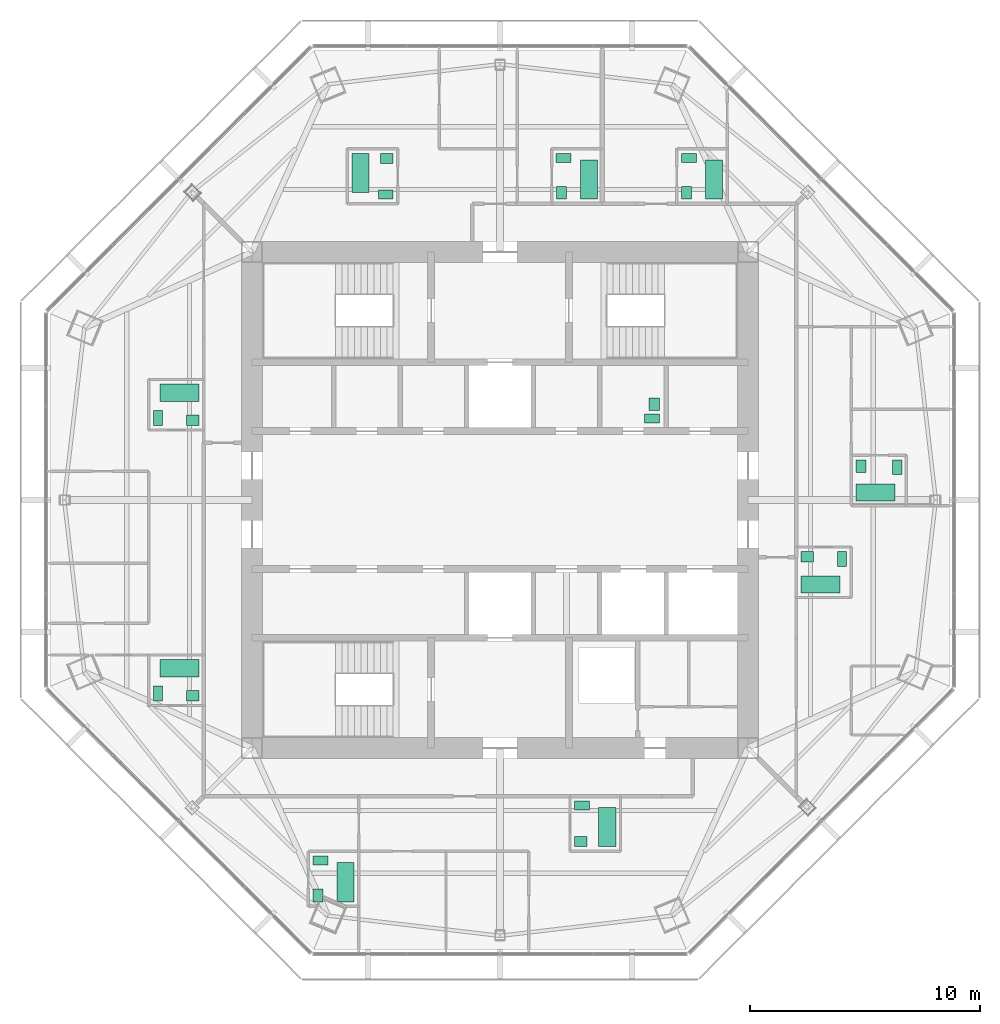
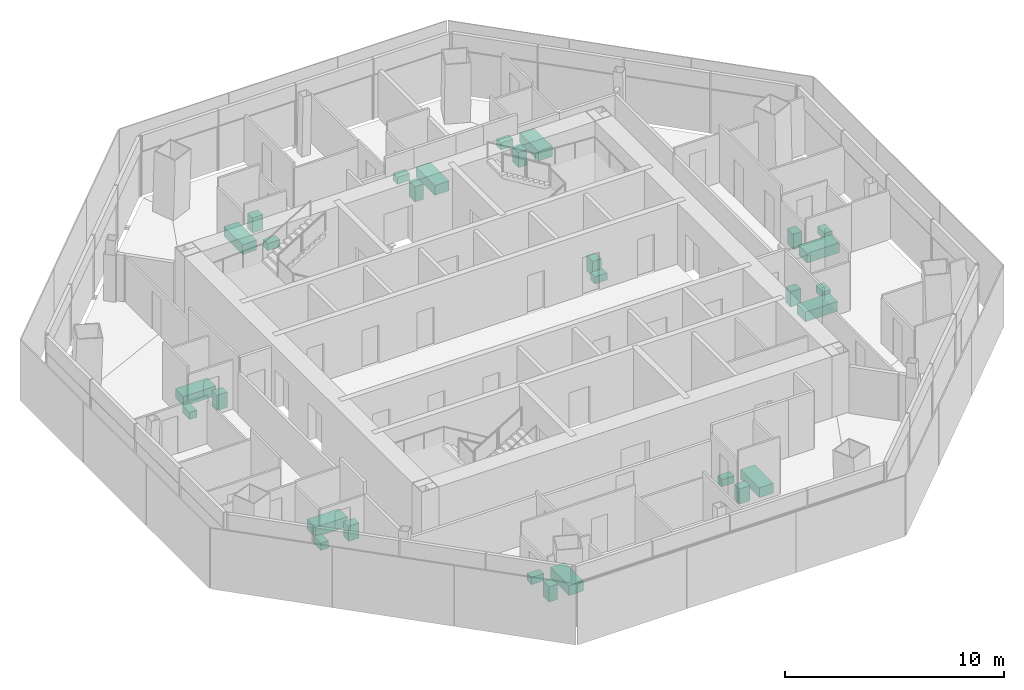
# One storey, part 15 of 15: 29 sanitary terminals.
"""IFC4 building model written with IfcOpenShell, lengths in metres."""

from ifc_helpers import new_model, si_unit, direction, frame, origin, origin_2d, place, context, subcontext, project, spatial, rectangle, extrude, material, type_object, element, save


model = new_model("IFC4")

# Units and contexts
model_context = context("Model", 3, precision=1e-05, world=origin(), true_north=direction((0.0, 1.0)))
body_context = subcontext(model_context, "Body", "Model", "MODEL_VIEW")
ifc_project = project(units=[si_unit("LENGTHUNIT", "METRE"), si_unit("AREAUNIT", "SQUARE_METRE"), si_unit("VOLUMEUNIT", "CUBIC_METRE"), si_unit("PLANEANGLEUNIT", "RADIAN"), si_unit("MASSUNIT", "GRAM", prefix="KILO")], contexts=[model_context])

# Site, building, storey
site_placement = place(None, origin())
site = spatial("IfcSite", under=ifc_project, at=site_placement, CompositionType="ELEMENT")
building_placement = place(site_placement, origin())
building = spatial("IfcBuilding", under=site, at=building_placement, Name="Mashrafa Tower", CompositionType="ELEMENT")
storey_placement = place(building_placement, frame((0.0, 0.0, 291.199951171875)))
storey = spatial("IfcBuildingStorey", under=building, at=storey_placement, Name="L71", CompositionType="ELEMENT", Elevation=291.199951171875)

# Sanitary terminals
ifc_material_1 = material(Name="Enamelled steel", Category="steel")
sanitary_terminal_type_1 = type_object("IfcSanitaryTerminalType", Name="Bath 1700 x 750", PredefinedType="BATH", material=ifc_material_1)
for number, where, z_axis, x_axis, name in (
    (1, (13.949951171875, -3.675048828125, 0.0), (0.0, 0.0, 1.0), (1.0, 0.0, 0.0), "Bath Apartment 7101 Bathroom"),
    (2, (16.35009765625, 0.324951171875, 0.0), (0.0, 0.0, 1.0), (1.0, 0.0, 0.0), "Bath Apartment 7101 En-suite Bathroom"),
    (3, (9.324951171875, 13.949951171875, 0.0), (0.0, 0.0, 1.0), (0.0, 1.0, 0.0), "Bath Apartment 7102 Bathroom"),
    (4, (-6.074951171875, 14.25, 0.0), (0.0, 0.0, 1.0), (0.0, -1.0, 0.0), "Bath Apartment 7103 Bathroom"),
    (5, (3.875, 13.949951171875, 0.0), (0.0, 0.0, 1.0), (0.0, 1.0, 0.0), "Bath Apartment 7103 En-suite Bathroom"),
    (6, (-13.949951171875, 4.675048828125, 0.0), (0.0, 0.0, 1.0), (-1.0, 0.0, 0.0), "Bath Apartment 7104 Bathroom"),
    (7, (-13.949951171875, -7.324951171875, 0.0), (0.0, 0.0, 1.0), (-1.0, 0.0, 0.0), "Bath Apartment 7104 En-suite Bathroom"),
    (8, (4.675048828125, -14.25, 0.0), (0.0, 0.0, 1.0), (0.0, 1.0, 0.0), "Bath Apartment 7105 Bathroom"),
    (9, (-6.72509765625, -16.64990234375, 0.0), (0.0, 0.0, 1.0), (0.0, 1.0, 0.0), "Bath Apartment 7105 En-suite Bathroom"),
):
    element("IfcSanitaryTerminal", number, at=place(storey_placement, frame(where, z_axis=z_axis, x_axis=x_axis)), inside=storey, type_object=sanitary_terminal_type_1, Name=name, PredefinedType="BATH", context=body_context, shape_type="SweptSolid", body=[
        extrude(rectangle(XDim=1.699951171875, YDim=0.75, at=origin_2d()), origin(), (0.0, 0.0, 1.0), 0.550048828125),
    ])
ifc_material_2 = material(Name="Vitreous china")
sanitary_terminal_type_2 = type_object("IfcSanitaryTerminalType", Name="Toilet pan 400 x 650", PredefinedType="TOILETPAN", material=ifc_material_2)
for number, where, z_axis, x_axis, name in (
    (10, (6.625, 3.550048828125, 0.0), (0.0, 0.0, 1.0), (0.0, 1.0, 0.0), "Toilet pan Staff WC L71"),
    (11, (14.89990234375, -2.574951171875, 0.0), (0.0, 0.0, 1.0), (-1.0, 0.0, 0.0), "Toilet pan Apartment 7101 Bathroom"),
    (12, (17.300048828125, 1.425048828125, 0.0), (0.0, 0.0, 1.0), (-1.0, 0.0, 0.0), "Toilet pan Apartment 7101 En-suite Bathroom"),
    (13, (8.22509765625, 14.89990234375, 0.0), (0.0, 0.0, 1.0), (0.0, -1.0, 0.0), "Toilet pan Apartment 7102 Bathroom"),
    (14, (-4.97509765625, 13.300048828125, 0.0), (0.0, 0.0, 1.0), (0.0, 1.0, 0.0), "Toilet pan Apartment 7103 Bathroom"),
    (15, (2.77490234375, 14.89990234375, 0.0), (0.0, 0.0, 1.0), (0.0, -1.0, 0.0), "Toilet pan Apartment 7103 En-suite Bathroom"),
    (16, (-14.89990234375, 3.574951171875, 0.0), (0.0, 0.0, 1.0), (1.0, 0.0, 0.0), "Toilet pan Apartment 7104 Bathroom"),
    (17, (-14.89990234375, -8.425048828125, 0.0), (0.0, 0.0, 1.0), (1.0, 0.0, 0.0), "Toilet pan Apartment 7104 En-suite Bathroom"),
    (18, (3.574951171875, -13.300048828125, 0.0), (0.0, 0.0, 1.0), (0.0, -1.0, 0.0), "Toilet pan Apartment 7105 Bathroom"),
    (19, (-7.824951171875, -15.699951171875, 0.0), (0.0, 0.0, 1.0), (0.0, -1.0, 0.0), "Toilet pan Apartment 7105 En-suite Bathroom"),
):
    element("IfcSanitaryTerminal", number, at=place(storey_placement, frame(where, z_axis=z_axis, x_axis=x_axis)), inside=storey, type_object=sanitary_terminal_type_2, Name=name, PredefinedType="TOILETPAN", context=body_context, shape_type="SweptSolid", body=[
        extrude(rectangle(XDim=0.39990234375, YDim=0.64990234375, at=origin_2d()), origin(), (0.0, 0.0, 1.0), 0.39990234375),
    ])
ifc_material_3 = material(Name="Vitreous china")
sanitary_terminal_type_3 = type_object("IfcSanitaryTerminalType", Name="Wash basin 550 x 450", PredefinedType="WASHHANDBASIN", material=ifc_material_3)
for number, where, z_axis, x_axis, name in (
    (20, (6.72509765625, 4.175048828125, 0.0), (0.0, 0.0, 1.0), (0.0, 1.0, 0.0), "Wash basin Staff WC L71"),
    (21, (13.375, -2.47509765625, 0.0), (0.0, 0.0, 1.0), (-1.0, 0.0, 0.0), "Wash basin Apartment 7101 Bathroom"),
    (22, (15.72509765625, 1.47509765625, 0.0), (0.0, 0.0, 1.0), (0.0, -1.0, 0.0), "Wash basin Apartment 7101 En-suite Bathroom"),
    (23, (8.125, 13.375, 0.0), (0.0, 0.0, 1.0), (0.0, -1.0, 0.0), "Wash basin Apartment 7102 Bathroom"),
    (24, (-4.925048828125, 14.875, 0.0), (0.0, 0.0, 1.0), (-1.0, 0.0, 0.0), "Wash basin Apartment 7103 Bathroom"),
    (25, (2.675048828125, 13.375, 0.0), (0.0, 0.0, 1.0), (0.0, -1.0, 0.0), "Wash basin Apartment 7103 En-suite Bathroom"),
    (26, (-13.375, 3.47509765625, 0.0), (0.0, 0.0, 1.0), (1.0, 0.0, 0.0), "Wash basin Apartment 7104 Bathroom"),
    (27, (-13.375, -8.52490234375, 0.0), (0.0, 0.0, 1.0), (1.0, 0.0, 0.0), "Wash basin Apartment 7104 En-suite Bathroom"),
    (28, (3.52490234375, -14.875, 0.0), (0.0, 0.0, 1.0), (1.0, 0.0, 0.0), "Wash basin Apartment 7105 Bathroom"),
    (29, (-7.925048828125, -17.22509765625, 0.0), (0.0, 0.0, 1.0), (0.0, -1.0, 0.0), "Wash basin Apartment 7105 En-suite Bathroom"),
):
    element("IfcSanitaryTerminal", number, at=place(storey_placement, frame(where, z_axis=z_axis, x_axis=x_axis)), inside=storey, type_object=sanitary_terminal_type_3, Name=name, PredefinedType="WASHHANDBASIN", context=body_context, shape_type="SweptSolid", body=[
        extrude(rectangle(XDim=0.550048828125, YDim=0.449951171875, at=origin_2d()), origin(), (0.0, 0.0, 1.0), 0.85009765625),
    ])

save(model, "model.ifc")
